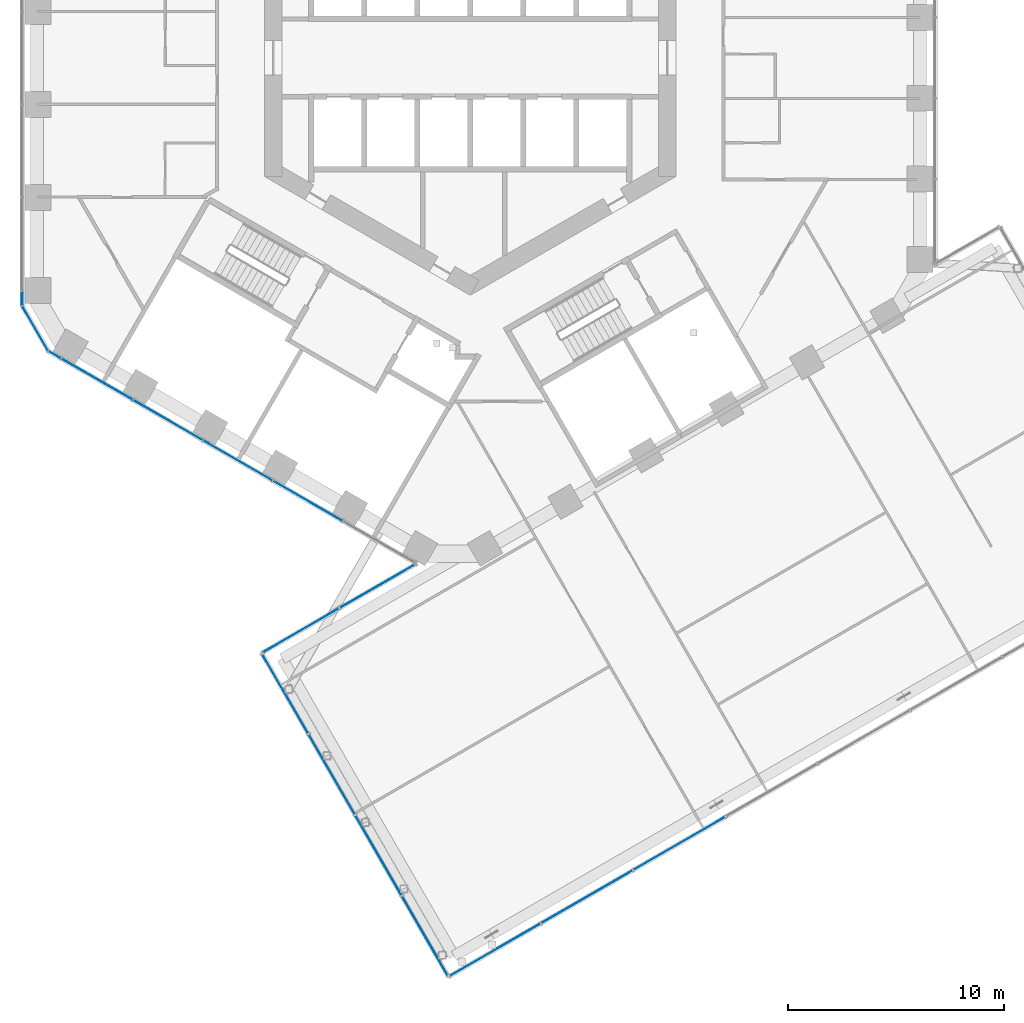
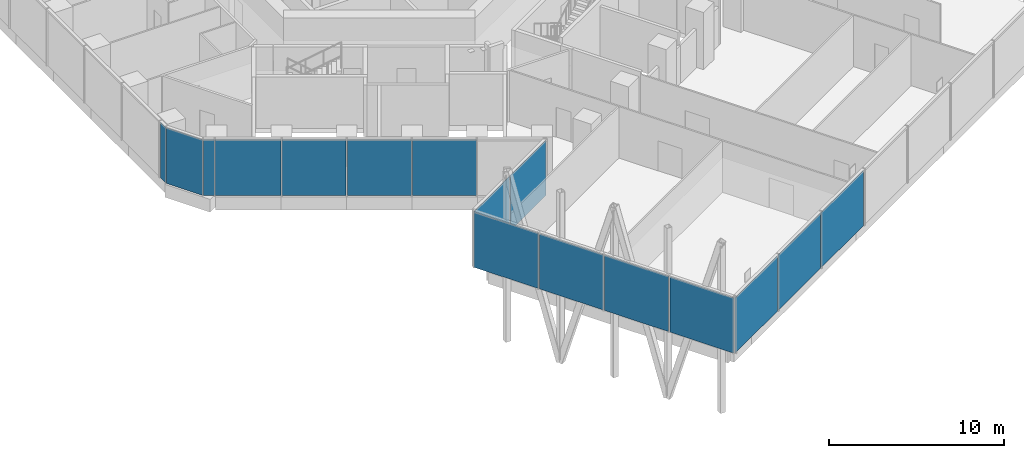
# One storey, part 12 of 27: 16 plates, 5 elements without a shape of their own.
"""IFC4 building model written with IfcOpenShell, lengths in metres."""

from ifc_helpers import new_model, si_unit, direction, frame, origin, origin_2d, place, context, subcontext, project, spatial, rectangle, extrude, material, layer, layer_set, type_object, element, aggregate, save


model = new_model("IFC4")

# Units and contexts
model_context = context("Model", 3, precision=1e-05, world=origin(), true_north=direction((0.0, 1.0)))
body_context = subcontext(model_context, "Body", "Model", "MODEL_VIEW")
ifc_project = project(units=[si_unit("LENGTHUNIT", "METRE"), si_unit("AREAUNIT", "SQUARE_METRE"), si_unit("VOLUMEUNIT", "CUBIC_METRE"), si_unit("PLANEANGLEUNIT", "RADIAN"), si_unit("MASSUNIT", "GRAM", prefix="KILO")], contexts=[model_context])

# Site, building, storey
site_placement = place(None, origin())
site = spatial("IfcSite", under=ifc_project, at=site_placement, CompositionType="ELEMENT")
building_placement = place(site_placement, origin())
building = spatial("IfcBuilding", under=site, at=building_placement, Name="Ayvan Gate Tower", CompositionType="ELEMENT")
storey_placement = place(building_placement, frame((0.0, 0.0, 70.300048828125)))
storey = spatial("IfcBuildingStorey", under=building, at=storey_placement, Name="L18", CompositionType="ELEMENT", Elevation=70.300048828125)

# Curtain wall, plates
ifc_material_1 = material(Name="Bronze anodised aluminium", Category="aluminium")
ifc_layer_1 = layer(ifc_material_1, 0.199951171875)
ifc_layer_set_1 = layer_set([ifc_layer_1], Name="Bronze anodised aluminium")
curtain_wall_type_1 = type_object("IfcCurtainWallType", Name="Stick curtain wall CW-1", PredefinedType="NOTDEFINED", material=ifc_layer_set_1)
curtain_wall_1_placement = place(storey_placement, origin())
curtain_wall_1 = element("IfcCurtainWall", 1, at=curtain_wall_1_placement, inside=storey, type_object=curtain_wall_type_1, Name="Stick curtain wall CW-1 L18", PredefinedType="NOTDEFINED")
ifc_material_2 = material(Name="Clear low-iron laminated glass", Category="glass")
ifc_layer_2 = layer(ifc_material_2, 0.028076171875)
ifc_layer_set_2 = layer_set([ifc_layer_2], Name="Clear low-iron laminated glass")
plate_type_1 = type_object("IfcPlateType", Name="Stick curtain wall CW-1 glass panel", PredefinedType="CURTAIN_PANEL", material=ifc_layer_set_2)
plate_1_placement = place(storey_placement, frame((-17.26025390625, -14.84326171875, 0.0), z_axis=(0.0, 0.0, 1.0), x_axis=(0.866025403784, -0.5, 0.0)))
plate_1 = element("IfcPlate", 2, at=plate_1_placement, type_object=plate_type_1, Name="CW-1 glass panel 1", PredefinedType="CURTAIN_PANEL", context=body_context, shape_type="SweptSolid", body=[
    extrude(rectangle(XDim=3.802001953125, YDim=0.028076171875, at=origin_2d()), origin(), (0.0, 0.0, 1.0), 3.8798828125),
])
plate_2_placement = place(storey_placement, frame((-13.97265625, -16.7412109375, 0.0), z_axis=(0.0, 0.0, 1.0), x_axis=(0.866025403784, -0.5, 0.0)))
plate_2 = element("IfcPlate", 3, at=plate_2_placement, type_object=plate_type_1, Name="CW-1 glass panel 2", PredefinedType="CURTAIN_PANEL", context=body_context, shape_type="SweptSolid", body=[
    extrude(rectangle(XDim=3.669921875, YDim=0.028076171875, at=origin_2d()), origin(), (0.0, 0.0, 1.0), 3.8798828125),
])
plate_3_placement = place(storey_placement, frame((-10.742431640625, -18.606201171875, 0.0), z_axis=(0.0, 0.0, 1.0), x_axis=(0.866025403784, -0.5, 0.0)))
plate_3 = element("IfcPlate", 4, at=plate_3_placement, type_object=plate_type_1, Name="CW-1 glass panel 3", PredefinedType="CURTAIN_PANEL", context=body_context, shape_type="SweptSolid", body=[
    extrude(rectangle(XDim=3.669921875, YDim=0.028076171875, at=origin_2d()), origin(), (0.0, 0.0, 1.0), 3.8798828125),
])
plate_4_placement = place(storey_placement, frame((-7.51220703125, -20.47119140625, 0.0), z_axis=(0.0, 0.0, 1.0), x_axis=(0.866025403784, -0.5, 0.0)))
plate_4 = element("IfcPlate", 5, at=plate_4_placement, type_object=plate_type_1, Name="CW-1 glass panel 4", PredefinedType="CURTAIN_PANEL", context=body_context, shape_type="SweptSolid", body=[
    extrude(rectangle(XDim=3.669921875, YDim=0.028076171875, at=origin_2d()), origin(), (0.0, 0.0, 1.0), 3.8798828125),
])
aggregate(curtain_wall_1, [plate_1, plate_2, plate_3, plate_4])

ifc_layer_3 = layer(ifc_material_1, 0.199951171875)
ifc_layer_set_3 = layer_set([ifc_layer_3], Name="Bronze anodised aluminium")
curtain_wall_type_2 = type_object("IfcCurtainWallType", Name="Stick curtain wall CW-4", PredefinedType="NOTDEFINED", material=ifc_layer_set_3)
curtain_wall_2_placement = place(storey_placement, origin())
curtain_wall_2 = element("IfcCurtainWall", 6, at=curtain_wall_2_placement, inside=storey, type_object=curtain_wall_type_2, Name="Stick curtain wall CW-4 L18", PredefinedType="NOTDEFINED")
ifc_material_3 = material(Name="Pale anodised aluminium composite panel", Category="aluminium")
ifc_layer_4 = layer(ifc_material_3, 0.028076171875)
ifc_layer_set_4 = layer_set([ifc_layer_4], Name="Pale anodised aluminium composite panel")
plate_type_2 = type_object("IfcPlateType", Name="Stick curtain wall CW-4 solid panel", PredefinedType="CURTAIN_PANEL", material=ifc_layer_set_4)
plate_5_placement = place(storey_placement, frame((-8.55859375, -29.376220703125, 0.0), z_axis=(0.0, 0.0, 1.0), x_axis=(0.5, -0.866025403784, 0.0)))
plate_5 = element("IfcPlate", 7, at=plate_5_placement, type_object=plate_type_2, Name="CW-4 solid panel 1", PredefinedType="CURTAIN_PANEL", context=body_context, shape_type="SweptSolid", body=[
    extrude(rectangle(XDim=4.237548828125, YDim=0.028076171875, at=origin_2d()), origin(), (0.0, 0.0, 1.0), 3.860107421875),
])
plate_6_placement = place(storey_placement, frame((-6.399658203125, -33.115234375, 0.0), z_axis=(0.0, 0.0, 1.0), x_axis=(0.5, -0.866025403784, 0.0)))
plate_6 = element("IfcPlate", 8, at=plate_6_placement, type_object=plate_type_2, Name="CW-4 solid panel 2", PredefinedType="CURTAIN_PANEL", context=body_context, shape_type="SweptSolid", body=[
    extrude(rectangle(XDim=4.237548828125, YDim=0.028076171875, at=origin_2d()), origin(), (0.0, 0.0, 1.0), 3.860107421875),
])
plate_7_placement = place(storey_placement, frame((-4.240966796875, -36.854248046875, 0.0), z_axis=(0.0, 0.0, 1.0), x_axis=(0.5, -0.866025403784, 0.0)))
plate_7 = element("IfcPlate", 9, at=plate_7_placement, type_object=plate_type_2, Name="CW-4 solid panel 3", PredefinedType="CURTAIN_PANEL", context=body_context, shape_type="SweptSolid", body=[
    extrude(rectangle(XDim=4.237548828125, YDim=0.028076171875, at=origin_2d()), origin(), (0.0, 0.0, 1.0), 3.860107421875),
])
plate_8_placement = place(storey_placement, frame((-2.082275390625, -40.59326171875, 0.0), z_axis=(0.0, 0.0, 1.0), x_axis=(0.5, -0.866025403784, 0.0)))
plate_8 = element("IfcPlate", 10, at=plate_8_placement, type_object=plate_type_2, Name="CW-4 solid panel 4", PredefinedType="CURTAIN_PANEL", context=body_context, shape_type="SweptSolid", body=[
    extrude(rectangle(XDim=4.237548828125, YDim=0.028076171875, at=origin_2d()), origin(), (0.0, 0.0, 1.0), 3.860107421875),
])
aggregate(curtain_wall_2, [plate_5, plate_6, plate_7, plate_8])

curtain_wall_3_placement = place(storey_placement, origin())
curtain_wall_3 = element("IfcCurtainWall", 11, at=curtain_wall_3_placement, inside=storey, type_object=curtain_wall_type_2, Name="Stick curtain wall CW-4 L18", PredefinedType="NOTDEFINED")
plate_9_placement = place(storey_placement, frame((1.129638671875, -41.231689453125, 0.0), z_axis=(0.0, 0.0, 1.0), x_axis=(0.866025403784, 0.5, 0.0)))
plate_9 = element("IfcPlate", 12, at=plate_9_placement, type_object=plate_type_2, Name="CW-4 solid panel 1", PredefinedType="CURTAIN_PANEL", context=body_context, shape_type="SweptSolid", body=[
    extrude(rectangle(XDim=4.844970703125, YDim=0.028076171875, at=origin_2d()), origin(), (0.0, 0.0, 1.0), 3.860107421875),
])
plate_10_placement = place(storey_placement, frame((5.394775390625, -38.76904296875, 0.0), z_axis=(0.0, 0.0, 1.0), x_axis=(0.866025403784, 0.5, 0.0)))
plate_10 = element("IfcPlate", 13, at=plate_10_placement, type_object=plate_type_2, Name="CW-4 solid panel 2", PredefinedType="CURTAIN_PANEL", context=body_context, shape_type="SweptSolid", body=[
    extrude(rectangle(XDim=4.844970703125, YDim=0.028076171875, at=origin_2d()), origin(), (0.0, 0.0, 1.0), 3.860107421875),
])
plate_11_placement = place(storey_placement, frame((9.659912109375, -36.306640625, 0.0), z_axis=(0.0, 0.0, 1.0), x_axis=(0.866025403784, 0.5, 0.0)))
plate_11 = element("IfcPlate", 14, at=plate_11_placement, type_object=plate_type_2, Name="CW-4 solid panel 3", PredefinedType="CURTAIN_PANEL", context=body_context, shape_type="SweptSolid", body=[
    extrude(rectangle(XDim=4.844970703125, YDim=0.028076171875, at=origin_2d()), origin(), (0.0, 0.0, 1.0), 3.860107421875),
])
aggregate(curtain_wall_3, [plate_9, plate_10, plate_11])

curtain_wall_4_placement = place(storey_placement, origin())
curtain_wall_4 = element("IfcCurtainWall", 15, at=curtain_wall_4_placement, inside=storey, type_object=curtain_wall_type_2, Name="Stick curtain wall CW-4 L18", PredefinedType="NOTDEFINED")
plate_12_placement = place(storey_placement, frame((-4.251708984375, -24.39697265625, 0.0), z_axis=(0.0, 0.0, 1.0), x_axis=(-0.866025403784, -0.5, 0.0)))
plate_12 = element("IfcPlate", 16, at=plate_12_placement, type_object=plate_type_2, Name="CW-4 solid panel 1", PredefinedType="CURTAIN_PANEL", context=body_context, shape_type="SweptSolid", body=[
    extrude(rectangle(XDim=4.066162109375, YDim=0.028076171875, at=origin_2d()), origin(), (0.0, 0.0, 1.0), 3.860107421875),
])
plate_13_placement = place(storey_placement, frame((-7.842529296875, -26.47021484375, 0.0), z_axis=(0.0, 0.0, 1.0), x_axis=(-0.866025403784, -0.5, 0.0)))
plate_13 = element("IfcPlate", 17, at=plate_13_placement, type_object=plate_type_2, Name="CW-4 solid panel 2", PredefinedType="CURTAIN_PANEL", context=body_context, shape_type="SweptSolid", body=[
    extrude(rectangle(XDim=4.066162109375, YDim=0.028076171875, at=origin_2d()), origin(), (0.0, 0.0, 1.0), 3.860107421875),
])
aggregate(curtain_wall_4, [plate_12, plate_13])

ifc_layer_5 = layer(ifc_material_1, 0.199951171875)
ifc_layer_set_5 = layer_set([ifc_layer_5], Name="Bronze anodised aluminium")
curtain_wall_type_3 = type_object("IfcCurtainWallType", Name="Stick curtain wall CW-6", PredefinedType="NOTDEFINED", material=ifc_layer_set_5)
curtain_wall_5_placement = place(storey_placement, origin())
curtain_wall_5 = element("IfcCurtainWall", 18, at=curtain_wall_5_placement, inside=storey, type_object=curtain_wall_type_3, Name="Stick curtain wall CW-6 L18", PredefinedType="NOTDEFINED")
ifc_layer_6 = layer(ifc_material_2, 0.028076171875)
ifc_layer_set_6 = layer_set([ifc_layer_6], Name="Clear low-iron laminated glass")
plate_type_3 = type_object("IfcPlateType", Name="Stick curtain wall CW-6 glass panel", PredefinedType="CURTAIN_PANEL", material=ifc_layer_set_6)
plate_14_placement = place(storey_placement, frame((-20.70263671875, -11.1240234375, 0.0), z_axis=(0.0, 0.0, 1.0), x_axis=(0.0, -1.0, 0.0)))
plate_14 = element("IfcPlate", 19, at=plate_14_placement, type_object=plate_type_3, Name="CW-6 glass panel 1", PredefinedType="CURTAIN_PANEL", context=body_context, shape_type="SweptSolid", body=[
    extrude(rectangle(XDim=0.625, YDim=0.028076171875, at=origin_2d()), origin(), (0.0, 0.0, 1.0), 3.8798828125),
])
plate_15_placement = place(storey_placement, frame((-20.098876953125, -12.507080078125, 0.0), z_axis=(0.0, 0.0, 1.0), x_axis=(0.5, -0.866025403784, 0.0)))
plate_15 = element("IfcPlate", 20, at=plate_15_placement, type_object=plate_type_3, Name="CW-6 glass panel 2", PredefinedType="CURTAIN_PANEL", context=body_context, shape_type="SweptSolid", body=[
    extrude(rectangle(XDim=2.364501953125, YDim=0.028076171875, at=origin_2d()), origin(), (0.0, 0.0, 1.0), 3.8798828125),
])
plate_16_placement = place(storey_placement, frame((-19.203125, -13.721435546875, 0.0), z_axis=(0.0, 0.0, 1.0), x_axis=(0.866025403784, -0.5, 0.0)))
plate_16 = element("IfcPlate", 21, at=plate_16_placement, type_object=plate_type_3, Name="CW-6 glass panel 3", PredefinedType="CURTAIN_PANEL", context=body_context, shape_type="SweptSolid", body=[
    extrude(rectangle(XDim=0.625, YDim=0.028076171875, at=origin_2d()), origin(), (0.0, 0.0, 1.0), 3.8798828125),
])
aggregate(curtain_wall_5, [plate_14, plate_15, plate_16])

save(model, "model.ifc")
